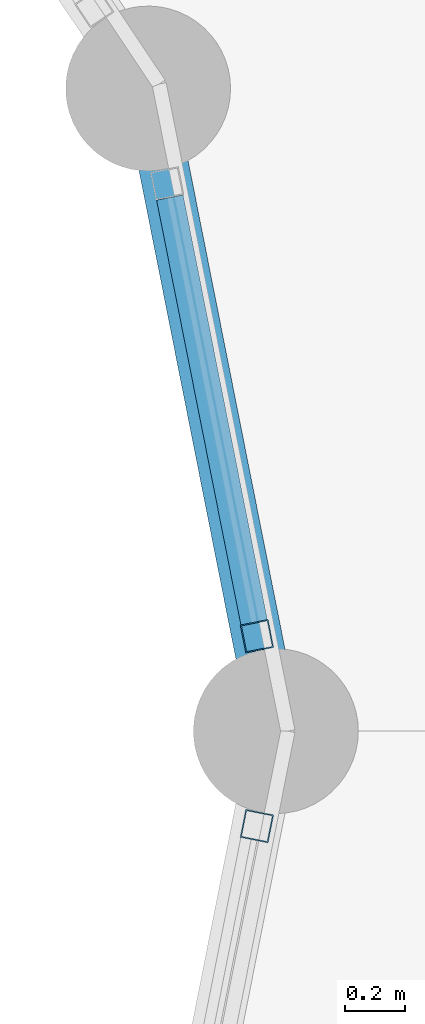
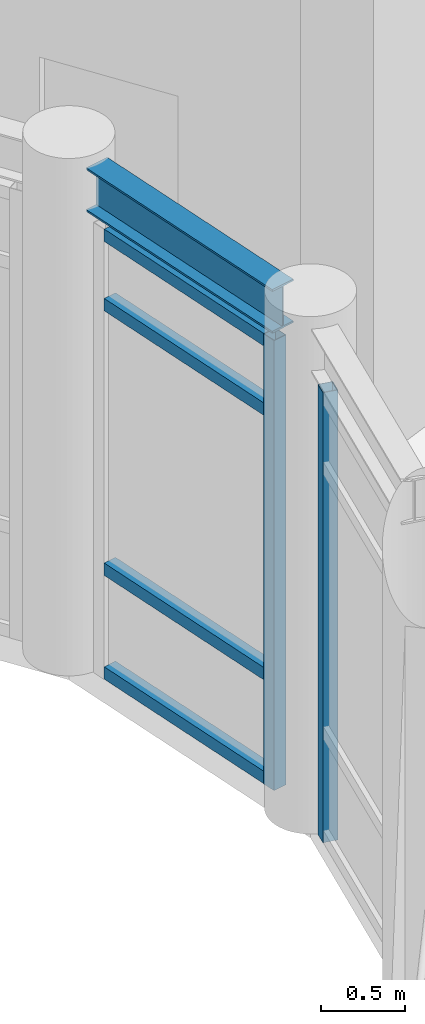
# One storey, part 63 of 149: 6 members, 1 beam, 2 elements without a shape of their own.
"""IFC4 building model written with IfcOpenShell, lengths in metres."""

import ifcopenshell
import ifcopenshell.guid

model = None  # the IFC model being written
_history = None  # IfcOwnerHistory: only IFC2X3 demands one
_inside = {}  # id of a spatial element -> (the spatial element, [elements in it])
_under = {}  # id of a project, library or spatial element -> (it, [spatial elements below it])
_declared = {}  # id of a project -> (the project, [libraries it declares])
_typed = {}  # id of a type object -> (the type object, [elements of that type])
_made_of = {}  # id of a material, layer set ... -> (it, [elements and type objects made of it])


def new_model(schema):
    """Start an empty IFC model of exactly this schema.

    Asked for "IFC4X3", IfcOpenShell would pick the latest addendum, in which some entities
    have other attributes; the version numbers below select the first issue.
    IFC2X3 requires an IfcOwnerHistory on every rooted entity: one is made here for all.
    """
    global model, _history
    if schema == "IFC4X3":
        model = ifcopenshell.file(schema_version=(4, 3, 0, 0))
    else:
        model = ifcopenshell.file(schema=schema)
    _inside.clear()
    _under.clear()
    _declared.clear()
    _typed.clear()
    _made_of.clear()
    _history = None
    if model.schema == "IFC2X3":
        org = make("IfcOrganization", Name="unknown")
        user = make(
            "IfcPersonAndOrganization",
            ThePerson=make("IfcPerson", FamilyName="unknown"),
            TheOrganization=org,
        )
        app = make(
            "IfcApplication",
            ApplicationDeveloper=org,
            Version="unknown",
            ApplicationFullName="unknown",
            ApplicationIdentifier="unknown",
        )
        _history = make(
            "IfcOwnerHistory",
            OwningUser=user,
            OwningApplication=app,
            ChangeAction="ADDED",
            CreationDate=0,
        )
    return model


def make(cls, **values):
    """One entity of the class cls with the attributes given. An attribute that is None is left unset."""
    return model.create_entity(
        cls, **{name: value for name, value in values.items() if value is not None}
    )


def rooted(cls, **values):
    """An entity with a GlobalId (a new one), such as an element, a storey or a relation."""
    return make(cls, GlobalId=ifcopenshell.guid.new(), OwnerHistory=_history, **values)


def si_unit(unit_type, name, prefix=None):
    """IfcSIUnit, for example si_unit("LENGTHUNIT", "METRE", prefix="MILLI")."""
    return make("IfcSIUnit", UnitType=unit_type, Prefix=prefix, Name=name)


def assignment(units):
    """IfcUnitAssignment: the units of a project."""
    return None if units is None else make("IfcUnitAssignment", Units=units)


def point(xyz):
    """IfcCartesianPoint."""
    return None if xyz is None else make("IfcCartesianPoint", Coordinates=xyz)


def direction(xyz):
    """IfcDirection."""
    return None if xyz is None else make("IfcDirection", DirectionRatios=xyz)


def frame(location, z_axis=None, x_axis=None):
    """IfcAxis2Placement3D, a coordinate frame: its origin and axes. An axis left out is left unset."""
    return make(
        "IfcAxis2Placement3D",
        Location=point(location),
        Axis=direction(z_axis),
        RefDirection=direction(x_axis),
    )


def frame_2d(location, x_axis=None):
    """IfcAxis2Placement2D, a coordinate frame in the plane: its origin and x axis."""
    return make(
        "IfcAxis2Placement2D", Location=point(location), RefDirection=direction(x_axis)
    )


def origin():
    """The frame at (0, 0, 0) with its axes left unset."""
    return frame((0.0, 0.0, 0.0))


def origin_2d():
    """The frame at (0, 0) in the plane with its x axis left unset."""
    return frame_2d((0.0, 0.0))


def place(relative_to, where):
    """IfcLocalPlacement: puts the frame where relative to a parent placement (None: the world)."""
    return make(
        "IfcLocalPlacement", PlacementRelTo=relative_to, RelativePlacement=where
    )


def context(
    kind, dimensions, precision=None, world=None, true_north=None, identifier=None
):
    """IfcGeometricRepresentationContext, for example the 3D "Model" context."""
    return make(
        "IfcGeometricRepresentationContext",
        ContextIdentifier=identifier,
        ContextType=kind,
        CoordinateSpaceDimension=dimensions,
        Precision=precision,
        WorldCoordinateSystem=world,
        TrueNorth=true_north,
    )


def subcontext(parent, identifier, kind, view, scale=None):
    """IfcGeometricRepresentationSubContext, for example "Body" below "Model"."""
    return make(
        "IfcGeometricRepresentationSubContext",
        ContextIdentifier=identifier,
        ContextType=kind,
        ParentContext=parent,
        TargetScale=scale,
        TargetView=view,
    )


def project(units=None, contexts=None):
    """IfcProject with its units and contexts."""
    return rooted(
        "IfcProject",
        Name="project",
        RepresentationContexts=contexts,
        UnitsInContext=assignment(units),
    )


def spatial(cls, under=None, at=None, **own):
    """A site, building, storey or space (cls), placed at a placement, below another one or the project."""
    s = rooted(cls, ObjectPlacement=at, **own)
    if under is not None:
        _under.setdefault(under.id(), (under, []))[1].append(s)
    return s


def profile(cls, at=None, kind="AREA", **sizes):
    """A parametric profile (cls). Its sizes go by their IFC names, for example OverallWidth=200.0."""
    return make(cls, ProfileType=kind, Position=at, **sizes)


def hollow_rectangle(**sizes):
    """IfcRectangleHollowProfileDef."""
    return profile("IfcRectangleHollowProfileDef", **sizes)


def i_section(**sizes):
    """IfcIShapeProfileDef."""
    return profile("IfcIShapeProfileDef", **sizes)


def extrude(swept, where, along, depth):
    """IfcExtrudedAreaSolid: the profile swept, set in the frame where, extruded along a direction by depth."""
    return make(
        "IfcExtrudedAreaSolid",
        SweptArea=swept,
        Position=where,
        ExtrudedDirection=direction(along),
        Depth=depth,
    )


def shape(context_of_items, identifier, shape_type, items):
    """IfcShapeRepresentation: the items that make up one representation, for example the "Body"."""
    return make(
        "IfcShapeRepresentation",
        ContextOfItems=context_of_items,
        RepresentationIdentifier=identifier,
        RepresentationType=shape_type,
        Items=items,
    )


def material(Name=None, Category=None):
    """IfcMaterial."""
    return make("IfcMaterial", Name=Name, Category=Category)


def material_profile(
    of_material, cross_section, Name=None, Category=None, Priority=None
):
    """IfcMaterialProfile: a cross section and its material."""
    return make(
        "IfcMaterialProfile",
        Name=Name,
        Material=of_material,
        Profile=cross_section,
        Priority=Priority,
        Category=Category,
    )


def profile_set(profiles, Name=None, composite=None):
    """IfcMaterialProfileSet."""
    return make(
        "IfcMaterialProfileSet",
        Name=Name,
        MaterialProfiles=profiles,
        CompositeProfile=composite,
    )


def made_of(thing, what):
    """Note that an element or type object is made of a material, layer set ...; save() writes the relation."""
    if what is not None:
        _made_of.setdefault(what.id(), (what, []))[1].append(thing)
    return thing


def type_object(cls, material=None, **own):
    """A type object (cls), such as IfcWallType, which elements share."""
    return made_of(rooted(cls, **own), material)


def element(
    cls,
    number,
    at=None,
    inside=None,
    cuts=None,
    type_object=None,
    material=None,
    context=None,
    identifier="Body",
    shape_type=None,
    held_by="IfcProductDefinitionShape",
    body=None,
    shapes=None,
    **own,
):
    """One element of the class cls, such as IfcWall. Its Tag is "e" and its number.

    at: its placement. inside: the storey or other place that contains it. cuts: it is an
    opening in that element (IfcRelVoidsElement). A single representation is given by context,
    identifier, shape_type and body (its items); several are given by shapes. held_by: the class
    of the entity that holds the representations. save() writes the other relations.
    """
    e = rooted(cls, Tag="e%d" % number, ObjectPlacement=at, **own)
    if body is not None:
        shapes = [shape(context, identifier, shape_type, body)]
    if shapes is not None:
        e.Representation = make(held_by, Representations=shapes)
    if inside is not None:
        _inside.setdefault(inside.id(), (inside, []))[1].append(e)
    if cuts is not None:
        rooted(
            "IfcRelVoidsElement", RelatingBuildingElement=cuts, RelatedOpeningElement=e
        )
    if type_object is not None:
        _typed.setdefault(type_object.id(), (type_object, []))[1].append(e)
    return made_of(e, material)


def aggregate(whole, parts):
    """IfcRelAggregates: a whole, such as a stair, and the parts it consists of."""
    return rooted("IfcRelAggregates", RelatingObject=whole, RelatedObjects=parts)


def save(model, path):
    """Write the relations noted so far, then the file.

    IfcRelAggregates (storeys below a building ...), IfcRelContainedInSpatialStructure (elements
    in a storey), IfcRelDefinesByType, IfcRelAssociatesMaterial and IfcRelDeclares: one each for
    every whole, place, type object, material and project.
    """
    for whole, parts in _under.values():
        aggregate(whole, parts)
    for where, things in _inside.values():
        rooted(
            "IfcRelContainedInSpatialStructure",
            RelatedElements=things,
            RelatingStructure=where,
        )
    for kind, things in _typed.values():
        rooted("IfcRelDefinesByType", RelatedObjects=things, RelatingType=kind)
    for what, things in _made_of.values():
        rooted("IfcRelAssociatesMaterial", RelatedObjects=things, RelatingMaterial=what)
    for by, libraries in _declared.values():
        rooted("IfcRelDeclares", RelatingContext=by, RelatedDefinitions=libraries)
    model.write(path)


model = new_model("IFC4")

# Units and contexts
model_context = context("Model", 3, precision=1e-05, world=origin(), true_north=direction((0.0, 1.0)))
body_context = subcontext(model_context, "Body", "Model", "MODEL_VIEW")
ifc_project = project(units=[si_unit("LENGTHUNIT", "METRE"), si_unit("AREAUNIT", "SQUARE_METRE"), si_unit("VOLUMEUNIT", "CUBIC_METRE"), si_unit("PLANEANGLEUNIT", "RADIAN"), si_unit("MASSUNIT", "GRAM", prefix="KILO")], contexts=[model_context])

# Site, building, storey
site_placement = place(None, origin())
site = spatial("IfcSite", under=ifc_project, at=site_placement, CompositionType="ELEMENT")
building_placement = place(site_placement, origin())
building = spatial("IfcBuilding", under=site, at=building_placement, Name="Celadon Cloister-Ring School", CompositionType="ELEMENT")
storey_placement = place(building_placement, frame((0.0, 0.0, 12.5)))
storey = spatial("IfcBuildingStorey", under=building, at=storey_placement, Name="L03", CompositionType="ELEMENT", Elevation=12.5)

# Curtain wall, member
ifc_material_1 = material(Name="Aluminium EN AW-6063 T6", Category="aluminium")
curtain_wall_type = type_object("IfcCurtainWallType", Name="CW-05", PredefinedType="USERDEFINED", material=ifc_material_1)
curtain_wall_1_placement = place(storey_placement, origin())
curtain_wall_1 = element("IfcCurtainWall", 1, at=curtain_wall_1_placement, inside=storey, type_object=curtain_wall_type, Name="Curtain Wall 0115", ObjectType="CURTAIN WALL", PredefinedType="USERDEFINED")
ifc_material_2 = material(Name="Aluminium EN AW-6063 T6", Category="aluminium")
ifc_material_profile_1 = material_profile(ifc_material_2, hollow_rectangle(XDim=0.094970703125, YDim=0.094970703125, WallThickness=0.00390625, at=origin_2d()), Name="RHS95X95X4")
ifc_profile_set_1 = profile_set([ifc_material_profile_1], Name="Aluminium EN AW-6063 T6")
member_type_1 = type_object("IfcMemberType", Name="CM-02", PredefinedType="MULLION", material=ifc_profile_set_1)
member_1_placement = place(storey_placement, frame((25.73681640625, 97.316650390625, 0.0), z_axis=(0.0, 0.0, 1.0), x_axis=(-0.980885435464, -0.194586131301, 0.0)))
member_1 = element("IfcMember", 2, at=member_1_placement, type_object=member_type_1, Name="CW-05 mullion 1", PredefinedType="MULLION", context=body_context, shape_type="SweptSolid", body=[
    extrude(hollow_rectangle(XDim=0.094970703125, YDim=0.094970703125, WallThickness=0.00390625, at=origin_2d()), origin(), (0.0, 0.0, 1.0), 3.27490234375),
])

curtain_wall_2_placement = place(storey_placement, origin())
curtain_wall_2 = element("IfcCurtainWall", 3, at=curtain_wall_2_placement, inside=storey, type_object=curtain_wall_type, Name="Curtain Wall 0126", ObjectType="CURTAIN WALL", PredefinedType="USERDEFINED")
member_2_placement = place(storey_placement, frame((25.73681640625, 96.683349609375, 0.0), z_axis=(0.0, 0.0, 1.0), x_axis=(-0.980885435464, 0.194586131301, 0.0)))
member_2 = element("IfcMember", 4, at=member_2_placement, type_object=member_type_1, Name="CW-05 mullion 2", PredefinedType="MULLION", context=body_context, shape_type="SweptSolid", body=[
    extrude(hollow_rectangle(XDim=0.094970703125, YDim=0.094970703125, WallThickness=0.00390625, at=origin_2d()), origin(), (0.0, 0.0, 1.0), 3.27490234375),
])
aggregate(curtain_wall_2, [member_2])

# Member
ifc_material_3 = material(Name="Aluminium EN AW-6063 T6", Category="aluminium")
ifc_material_profile_2 = material_profile(ifc_material_3, hollow_rectangle(XDim=0.090087890625, YDim=0.090087890625, WallThickness=0.00390625, at=origin_2d()), Name="RHS90X90X4")
ifc_profile_set_2 = profile_set([ifc_material_profile_2], Name="Aluminium EN AW-6063 T6")
member_type_2 = type_object("IfcMemberType", Name="CTM-02", PredefinedType="USERDEFINED", material=ifc_profile_set_2)
member_3_placement = place(storey_placement, frame((25.7275390625, 97.36328125, 0.044921875), z_axis=(-0.194587856315, 0.980885093257, 0.0), x_axis=(-0.980885093257, -0.194587856315, 0.0)))
member_3 = element("IfcMember", 5, at=member_3_placement, type_object=member_type_2, Name="CW-05 transom 1.1", ObjectType="TRANSOM", PredefinedType="USERDEFINED", context=body_context, shape_type="SweptSolid", body=[
    extrude(hollow_rectangle(XDim=0.090087890625, YDim=0.090087890625, WallThickness=0.00390625, at=origin_2d()), origin(), (0.0, 0.0, 1.0), 1.444091796875),
])

member_4_placement = place(storey_placement, frame((25.7275390625, 97.36328125, 0.800048828125), z_axis=(-0.194587856315, 0.980885093257, 0.0), x_axis=(-0.980885093257, -0.194587856315, 0.0)))
member_4 = element("IfcMember", 6, at=member_4_placement, type_object=member_type_2, Name="CW-05 transom 1.2", ObjectType="TRANSOM", PredefinedType="USERDEFINED", context=body_context, shape_type="SweptSolid", body=[
    extrude(hollow_rectangle(XDim=0.090087890625, YDim=0.090087890625, WallThickness=0.00390625, at=origin_2d()), origin(), (0.0, 0.0, 1.0), 1.444091796875),
])

member_5_placement = place(storey_placement, frame((25.7275390625, 97.36328125, 2.72509765625), z_axis=(-0.194587856315, 0.980885093257, 0.0), x_axis=(-0.980885093257, -0.194587856315, 0.0)))
member_5 = element("IfcMember", 7, at=member_5_placement, type_object=member_type_2, Name="CW-05 transom 1.3", ObjectType="TRANSOM", PredefinedType="USERDEFINED", context=body_context, shape_type="SweptSolid", body=[
    extrude(hollow_rectangle(XDim=0.090087890625, YDim=0.090087890625, WallThickness=0.00390625, at=origin_2d()), origin(), (0.0, 0.0, 1.0), 1.444091796875),
])

member_6_placement = place(storey_placement, frame((25.7275390625, 97.36328125, 3.22998046875), z_axis=(-0.194587856315, 0.980885093257, 0.0), x_axis=(-0.980885093257, -0.194587856315, 0.0)))
member_6 = element("IfcMember", 8, at=member_6_placement, type_object=member_type_2, Name="CW-05 transom 1.4", ObjectType="TRANSOM", PredefinedType="USERDEFINED", context=body_context, shape_type="SweptSolid", body=[
    extrude(hollow_rectangle(XDim=0.090087890625, YDim=0.090087890625, WallThickness=0.00390625, at=origin_2d()), origin(), (0.0, 0.0, 1.0), 1.444091796875),
])

aggregate(curtain_wall_1, [member_1, member_3, member_4, member_5, member_6])

# Beam
ifc_material_4 = material(Name="Structural steel S355JR", Category="steel")
ifc_material_profile_3 = material_profile(ifc_material_4, i_section(OverallWidth=0.1669921875, OverallDepth=0.31689453125, WebThickness=0.007568359375, FlangeThickness=0.01318359375, at=origin_2d()), Name="W310X52")
ifc_profile_set_3 = profile_set([ifc_material_profile_3], Name="Structural steel S355JR")
beam_type = type_object("IfcBeamType", Name="SP-05", PredefinedType="SPANDREL", material=ifc_profile_set_3)
beam_placement = place(storey_placement, frame((25.7509765625, 97.2451171875, 3.51708984375), z_axis=(-0.194583435458, 0.980885970256, 0.0), x_axis=(-0.980885970256, -0.194583435458, 0.0)))
element("IfcBeam", 9, at=beam_placement, inside=storey, type_object=beam_type, Name="Beam 0809", PredefinedType="SPANDREL", context=body_context, shape_type="SweptSolid", body=[
    extrude(i_section(OverallWidth=0.1669921875, OverallDepth=0.31689453125, WebThickness=0.007568359375, FlangeThickness=0.01318359375, at=origin_2d()), origin(), (0.0, 0.0, 1.0), 1.68505859375),
])

save(model, "model.ifc")
